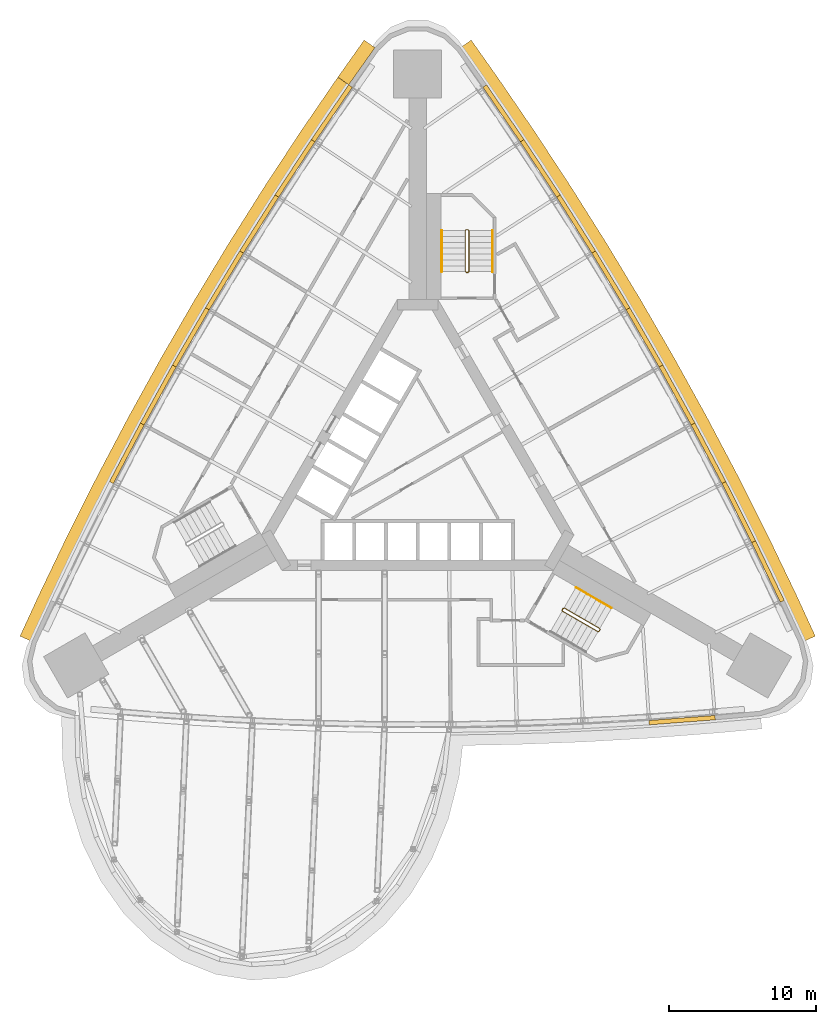
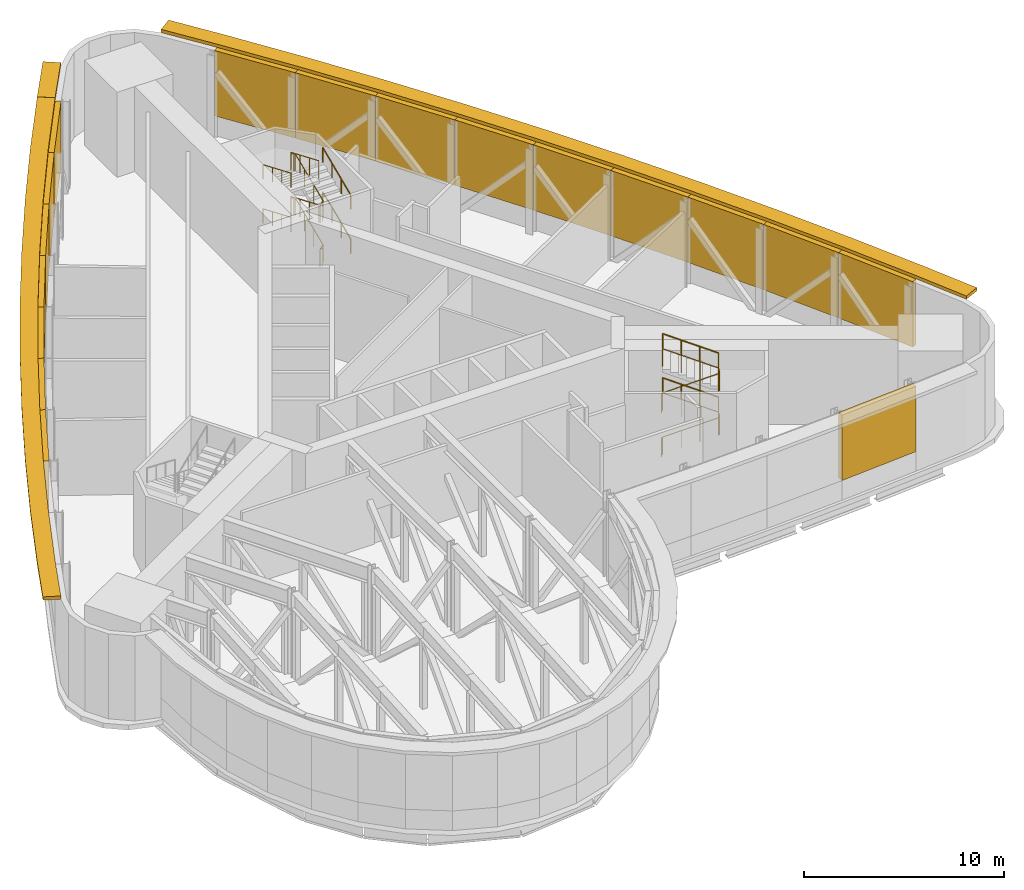
# One storey, part 10 of 10: 20 shading devices, 8 railings.
"""IFC4 building model written with IfcOpenShell, lengths in metres."""

from ifc_helpers import new_model, si_unit, direction, frame, origin, origin_2d, place, context, subcontext, project, spatial, polyline, circle, outline, extrude, material, type_object, element, save


model = new_model("IFC4")

# Units and contexts
model_context = context("Model", 3, precision=1e-05, world=origin(), true_north=direction((0.0, 1.0)))
body_context = subcontext(model_context, "Body", "Model", "MODEL_VIEW")
ifc_project = project(units=[si_unit("LENGTHUNIT", "METRE"), si_unit("AREAUNIT", "SQUARE_METRE"), si_unit("VOLUMEUNIT", "CUBIC_METRE"), si_unit("PLANEANGLEUNIT", "RADIAN"), si_unit("MASSUNIT", "GRAM", prefix="KILO")], contexts=[model_context])

# Site, building, storey
site_placement = place(None, origin())
site = spatial("IfcSite", under=ifc_project, at=site_placement, CompositionType="ELEMENT")
building_placement = place(site_placement, origin())
building = spatial("IfcBuilding", under=site, at=building_placement, Name="Noor Cloister Tower", CompositionType="ELEMENT")
storey_placement = place(building_placement, frame((0.0, 0.0, 52.800048828125)))
storey = spatial("IfcBuildingStorey", under=building, at=storey_placement, Name="L13", CompositionType="ELEMENT", Elevation=52.800048828125)

# Shading devices
ifc_material_1 = material(Name="Aluminium 6063-T6 anodised", Category="aluminium")
shading_device_type_1 = type_object("IfcShadingDeviceType", Name="LOUVRE plant air 40 percent free", PredefinedType="USERDEFINED", material=ifc_material_1)
shading_device_1_placement = place(storey_placement, frame((0.0, 0.0, 1.199951171875)))
element("IfcShadingDevice", 1, at=shading_device_1_placement, inside=storey, type_object=shading_device_type_1, Name="LOUVRE L13 1.1", ObjectType="LOUVRE", PredefinedType="USERDEFINED", context=body_context, shape_type="SweptSolid", body=[
    extrude(outline(polyline([(-4.683837890625, 26.05810546875), (-7.224609375, 22.343994140625), (-6.97705078125, 22.1748046875), (-4.43603515625, 25.888671875), (-4.683837890625, 26.05810546875)])), origin(), (0.0, 0.0, 1.0), 4.0),
])
shading_device_2_placement = place(storey_placement, frame((0.0, 0.0, 1.199951171875)))
element("IfcShadingDevice", 2, at=shading_device_2_placement, inside=storey, type_object=shading_device_type_1, Name="LOUVRE L13 1.2", ObjectType="LOUVRE", PredefinedType="USERDEFINED", context=body_context, shape_type="SweptSolid", body=[
    extrude(outline(polyline([(-7.224609375, 22.343994140625), (-9.69384765625, 18.582275390625), (-9.443115234375, 18.417724609375), (-6.9736328125, 22.179443359375), (-7.224609375, 22.343994140625)])), origin(), (0.0, 0.0, 1.0), 4.0),
])
shading_device_3_placement = place(storey_placement, frame((0.0, 0.0, 1.199951171875)))
element("IfcShadingDevice", 3, at=shading_device_3_placement, inside=storey, type_object=shading_device_type_1, Name="LOUVRE L13 1.3", ObjectType="LOUVRE", PredefinedType="USERDEFINED", context=body_context, shape_type="SweptSolid", body=[
    extrude(outline(polyline([(-9.69384765625, 18.582275390625), (-12.091064453125, 14.77392578125), (-11.837158203125, 14.6142578125), (-9.43994140625, 18.42236328125), (-9.69384765625, 18.582275390625)])), origin(), (0.0, 0.0, 1.0), 4.0),
])
shading_device_4_placement = place(storey_placement, frame((0.0, 0.0, 1.199951171875)))
element("IfcShadingDevice", 4, at=shading_device_4_placement, inside=storey, type_object=shading_device_type_1, Name="LOUVRE L13 1.4", ObjectType="LOUVRE", PredefinedType="USERDEFINED", context=body_context, shape_type="SweptSolid", body=[
    extrude(outline(polyline([(-12.091064453125, 14.77392578125), (-14.4150390625, 10.920654296875), (-14.158203125, 10.765625), (-11.834228515625, 14.618896484375), (-12.091064453125, 14.77392578125)])), origin(), (0.0, 0.0, 1.0), 4.0),
])
shading_device_5_placement = place(storey_placement, frame((0.0, 0.0, 1.199951171875)))
element("IfcShadingDevice", 5, at=shading_device_5_placement, inside=storey, type_object=shading_device_type_1, Name="LOUVRE L13 1.5", ObjectType="LOUVRE", PredefinedType="USERDEFINED", context=body_context, shape_type="SweptSolid", body=[
    extrude(outline(polyline([(-14.4150390625, 10.920654296875), (-16.6650390625, 7.0234375), (-16.4052734375, 6.87353515625), (-14.1552734375, 10.7705078125), (-14.4150390625, 10.920654296875)])), origin(), (0.0, 0.0, 1.0), 4.0),
])
shading_device_6_placement = place(storey_placement, frame((0.0, 0.0, 1.199951171875)))
element("IfcShadingDevice", 6, at=shading_device_6_placement, inside=storey, type_object=shading_device_type_1, Name="LOUVRE L13 1.6", ObjectType="LOUVRE", PredefinedType="USERDEFINED", context=body_context, shape_type="SweptSolid", body=[
    extrude(outline(polyline([(-16.6650390625, 7.0234375), (-18.840087890625, 3.084228515625), (-18.57763671875, 2.939208984375), (-16.40234375, 6.87841796875), (-16.6650390625, 7.0234375)])), origin(), (0.0, 0.0, 1.0), 4.0),
])
shading_device_7_placement = place(storey_placement, frame((0.0, 0.0, 1.199951171875)))
element("IfcShadingDevice", 7, at=shading_device_7_placement, inside=storey, type_object=shading_device_type_1, Name="LOUVRE L13 1.7", ObjectType="LOUVRE", PredefinedType="USERDEFINED", context=body_context, shape_type="SweptSolid", body=[
    extrude(outline(polyline([(-18.840087890625, 3.084228515625), (-20.939697265625, -0.89599609375), (-20.67431640625, -1.035888671875), (-18.57470703125, 2.9443359375), (-18.840087890625, 3.084228515625)])), origin(), (0.0, 0.0, 1.0), 4.0),
])
shading_device_8_placement = place(storey_placement, frame((0.0, 0.0, 1.199951171875)))
element("IfcShadingDevice", 8, at=shading_device_8_placement, inside=storey, type_object=shading_device_type_1, Name="LOUVRE L13 3.4", ObjectType="LOUVRE", PredefinedType="USERDEFINED", context=body_context, shape_type="SweptSolid", body=[
    extrude(outline(polyline([(15.73828125, -17.4287109375), (20.22509765625, -17.085205078125), (20.2021484375, -16.7861328125), (15.71533203125, -17.129638671875), (15.73828125, -17.4287109375)])), origin(), (0.0, 0.0, 1.0), 4.0),
])
shading_device_9_placement = place(storey_placement, frame((0.0, 0.0, 1.199951171875)))
element("IfcShadingDevice", 9, at=shading_device_9_placement, inside=storey, type_object=shading_device_type_1, Name="LOUVRE L13 4.1", ObjectType="LOUVRE", PredefinedType="USERDEFINED", context=body_context, shape_type="SweptSolid", body=[
    extrude(outline(polyline([(24.908935546875, -8.972900390625), (22.962890625, -4.91552734375), (22.6923828125, -5.045166015625), (24.638427734375, -9.1025390625), (24.908935546875, -8.972900390625)])), origin(), (0.0, 0.0, 1.0), 4.0),
])
shading_device_10_placement = place(storey_placement, frame((0.0, 0.0, 1.199951171875)))
element("IfcShadingDevice", 10, at=shading_device_10_placement, inside=storey, type_object=shading_device_type_1, Name="LOUVRE L13 4.2", ObjectType="LOUVRE", PredefinedType="USERDEFINED", context=body_context, shape_type="SweptSolid", body=[
    extrude(outline(polyline([(22.962890625, -4.91552734375), (20.939697265625, -0.89599609375), (20.671630859375, -1.03076171875), (22.69482421875, -5.05029296875), (22.962890625, -4.91552734375)])), origin(), (0.0, 0.0, 1.0), 4.0),
])
shading_device_11_placement = place(storey_placement, frame((0.0, 0.0, 1.199951171875)))
element("IfcShadingDevice", 11, at=shading_device_11_placement, inside=storey, type_object=shading_device_type_1, Name="LOUVRE L13 4.3", ObjectType="LOUVRE", PredefinedType="USERDEFINED", context=body_context, shape_type="SweptSolid", body=[
    extrude(outline(polyline([(20.939697265625, -0.89599609375), (18.840087890625, 3.084228515625), (18.57470703125, 2.9443359375), (20.67431640625, -1.035888671875), (20.939697265625, -0.89599609375)])), origin(), (0.0, 0.0, 1.0), 4.0),
])
shading_device_12_placement = place(storey_placement, frame((0.0, 0.0, 1.199951171875)))
element("IfcShadingDevice", 12, at=shading_device_12_placement, inside=storey, type_object=shading_device_type_1, Name="LOUVRE L13 4.4", ObjectType="LOUVRE", PredefinedType="USERDEFINED", context=body_context, shape_type="SweptSolid", body=[
    extrude(outline(polyline([(18.840087890625, 3.084228515625), (16.6650390625, 7.0234375), (16.40234375, 6.87841796875), (18.57763671875, 2.939208984375), (18.840087890625, 3.084228515625)])), origin(), (0.0, 0.0, 1.0), 4.0),
])
shading_device_13_placement = place(storey_placement, frame((0.0, 0.0, 1.199951171875)))
element("IfcShadingDevice", 13, at=shading_device_13_placement, inside=storey, type_object=shading_device_type_1, Name="LOUVRE L13 4.5", ObjectType="LOUVRE", PredefinedType="USERDEFINED", context=body_context, shape_type="SweptSolid", body=[
    extrude(outline(polyline([(16.6650390625, 7.0234375), (14.4150390625, 10.920654296875), (14.1552734375, 10.7705078125), (16.4052734375, 6.87353515625), (16.6650390625, 7.0234375)])), origin(), (0.0, 0.0, 1.0), 4.0),
])
shading_device_14_placement = place(storey_placement, frame((0.0, 0.0, 1.199951171875)))
element("IfcShadingDevice", 14, at=shading_device_14_placement, inside=storey, type_object=shading_device_type_1, Name="LOUVRE L13 4.6", ObjectType="LOUVRE", PredefinedType="USERDEFINED", context=body_context, shape_type="SweptSolid", body=[
    extrude(outline(polyline([(14.4150390625, 10.920654296875), (12.091064453125, 14.77392578125), (11.834228515625, 14.618896484375), (14.158203125, 10.765625), (14.4150390625, 10.920654296875)])), origin(), (0.0, 0.0, 1.0), 4.0),
])
shading_device_15_placement = place(storey_placement, frame((0.0, 0.0, 1.199951171875)))
element("IfcShadingDevice", 15, at=shading_device_15_placement, inside=storey, type_object=shading_device_type_1, Name="LOUVRE L13 4.7", ObjectType="LOUVRE", PredefinedType="USERDEFINED", context=body_context, shape_type="SweptSolid", body=[
    extrude(outline(polyline([(12.091064453125, 14.77392578125), (9.69384765625, 18.582275390625), (9.43994140625, 18.42236328125), (11.837158203125, 14.6142578125), (12.091064453125, 14.77392578125)])), origin(), (0.0, 0.0, 1.0), 4.0),
])
shading_device_16_placement = place(storey_placement, frame((0.0, 0.0, 1.199951171875)))
element("IfcShadingDevice", 16, at=shading_device_16_placement, inside=storey, type_object=shading_device_type_1, Name="LOUVRE L13 4.8", ObjectType="LOUVRE", PredefinedType="USERDEFINED", context=body_context, shape_type="SweptSolid", body=[
    extrude(outline(polyline([(9.69384765625, 18.582275390625), (7.224609375, 22.343994140625), (6.9736328125, 22.179443359375), (9.443115234375, 18.417724609375), (9.69384765625, 18.582275390625)])), origin(), (0.0, 0.0, 1.0), 4.0),
])
shading_device_17_placement = place(storey_placement, frame((0.0, 0.0, 1.199951171875)))
element("IfcShadingDevice", 17, at=shading_device_17_placement, inside=storey, type_object=shading_device_type_1, Name="LOUVRE L13 4.9", ObjectType="LOUVRE", PredefinedType="USERDEFINED", context=body_context, shape_type="SweptSolid", body=[
    extrude(outline(polyline([(7.224609375, 22.343994140625), (4.683837890625, 26.05810546875), (4.43603515625, 25.888671875), (6.97705078125, 22.1748046875), (7.224609375, 22.343994140625)])), origin(), (0.0, 0.0, 1.0), 4.0),
])
ifc_material_2 = material(Name="Limestone", Category="masonry")
shading_device_type_2 = type_object("IfcShadingDeviceType", Name="SUNSHADE limestone band 900", PredefinedType="USERDEFINED", material=ifc_material_2)
shading_device_18_placement = place(storey_placement, frame((0.0, 0.0, 5.199951171875)))
element("IfcShadingDevice", 18, at=shading_device_18_placement, inside=storey, type_object=shading_device_type_2, Name="SUNSHADE L13 1", ObjectType="SUNSHADE", PredefinedType="USERDEFINED", context=body_context, shape_type="SweptSolid", body=[
    extrude(outline(polyline([(-5.426513671875, 26.566162109375), (-7.97216796875, 22.84521484375), (-10.450927734375, 19.06884765625), (-12.857421875, 15.24609375), (-15.190185546875, 11.3779296875), (-17.44873046875, 7.466064453125), (-19.632080078125, 3.51171875), (-21.73974609375, -0.483642578125), (-23.7705078125, -4.5185546875), (-25.723388671875, -8.590087890625), (-27.015869140625, -11.399658203125), (-26.1982421875, -11.77587890625), (-24.908935546875, -8.972900390625), (-22.962890625, -4.91552734375), (-20.939697265625, -0.89599609375), (-18.840087890625, 3.084228515625), (-16.6650390625, 7.0234375), (-14.4150390625, 10.920654296875), (-12.091064453125, 14.77392578125), (-9.69384765625, 18.582275390625), (-7.224609375, 22.343994140625), (-4.683837890625, 26.05810546875), (-5.426513671875, 26.566162109375)])), origin(), (0.0, 0.0, 1.0), 0.199951171875),
])
shading_device_19_placement = place(storey_placement, frame((0.0, 0.0, 5.199951171875)))
element("IfcShadingDevice", 19, at=shading_device_19_placement, inside=storey, type_object=shading_device_type_2, Name="SUNSHADE L13 3", ObjectType="SUNSHADE", PredefinedType="USERDEFINED", context=body_context, shape_type="SweptSolid", body=[
    extrude(outline(polyline([(27.015869140625, -11.399658203125), (25.723388671875, -8.590087890625), (23.7705078125, -4.5185546875), (21.73974609375, -0.483642578125), (19.632080078125, 3.51171875), (17.44873046875, 7.466064453125), (15.190185546875, 11.3779296875), (12.857421875, 15.24609375), (10.450927734375, 19.06884765625), (7.97216796875, 22.84521484375), (5.42236328125, 26.572265625), (3.635498046875, 29.09619140625), (2.90087890625, 28.576171875), (4.683837890625, 26.05810546875), (7.224609375, 22.343994140625), (9.69384765625, 18.582275390625), (12.091064453125, 14.77392578125), (14.4150390625, 10.920654296875), (16.6650390625, 7.0234375), (18.840087890625, 3.084228515625), (20.939697265625, -0.89599609375), (22.962890625, -4.91552734375), (24.908935546875, -8.972900390625), (26.1982421875, -11.77587890625), (27.015869140625, -11.399658203125)])), origin(), (0.0, 0.0, 1.0), 0.199951171875),
])
shading_device_20_placement = place(storey_placement, frame((0.0, 0.0, 5.199951171875)))
element("IfcShadingDevice", 20, at=shading_device_20_placement, inside=storey, type_object=shading_device_type_2, Name="SUNSHADE L13 4", ObjectType="SUNSHADE", PredefinedType="USERDEFINED", context=body_context, shape_type="SweptSolid", body=[
    extrude(outline(polyline([(-3.635498046875, 29.09619140625), (-5.418212890625, 26.578125), (-4.683837890625, 26.05810546875), (-2.90087890625, 28.576171875), (-3.635498046875, 29.09619140625)])), origin(), (0.0, 0.0, 1.0), 0.199951171875),
])

# Railings
ifc_material_3 = material(Name="Stainless steel", Category="steel")
railing_type_1 = type_object("IfcRailingType", Name="Stair guard 1100", PredefinedType="GUARDRAIL", material=ifc_material_3)
railing_1_placement = place(storey_placement, frame((3.435546875, 13.306396484375, 0.0)))
element("IfcRailing", 21, at=railing_1_placement, inside=storey, type_object=railing_type_1, Name="Stair guard ST1 L13", PredefinedType="GUARDRAIL", context=body_context, shape_type="SweptSolid", body=[
    extrude(circle(Radius=0.02392578125, at=origin_2d()), frame((0.0, 0.0, 1.076171875), z_axis=(-1.0, 0.0, 0.0), x_axis=(0.0, -1.0, 0.0)), (0.0, 0.0, 1.0), 0.14990234375),
    extrude(circle(Radius=0.02392578125, at=origin_2d()), frame((-0.14990234375, 0.0, 1.076171875), z_axis=(0.750691857518, 0.187902113298, 0.633367611166), x_axis=(-0.242814311512, 0.970072785993, 0.0)), (0.0, 0.0, 1.0), 0.266357421875),
    extrude(circle(Radius=0.02392578125, at=origin_2d()), frame((0.050048828125, 0.050048828125, 1.24462890625), z_axis=(0.0, 0.921378096441, 0.388667471495), x_axis=(-1.0, 0.0, 0.0)), (0.0, 0.0, 1.0), 3.0390625),
    extrude(circle(Radius=0.02392578125, at=origin_2d()), frame((0.050048828125, 2.85009765625, 2.42578125), z_axis=(-0.708833529934, 0.705375805398, 0.0), x_axis=(-0.705375805398, -0.708833529934, 0.0)), (0.0, 0.0, 1.0), 0.070556640625),
    extrude(circle(Radius=0.02392578125, at=origin_2d()), frame((0.0, 2.89990234375, 2.42578125), z_axis=(-1.0, 0.0, 0.0), x_axis=(0.0, -1.0, 0.0)), (0.0, 0.0, 1.0), 0.14990234375),
    extrude(circle(Radius=0.02392578125, at=origin_2d()), frame((-0.14990234375, 2.89990234375, 2.42578125), z_axis=(-0.273332118527, -0.271998791119, 0.922662565953), x_axis=(0.705375805398, -0.708833529934, 0.0)), (0.0, 0.0, 1.0), 0.18310546875),
    extrude(circle(Radius=0.02392578125, at=origin_2d()), frame((-0.199951171875, 2.85009765625, 2.5947265625), z_axis=(0.0, -0.921378096441, 0.388667471495), x_axis=(1.0, 0.0, 0.0)), (0.0, 0.0, 1.0), 3.0390625),
    extrude(circle(Radius=0.02392578125, at=origin_2d()), frame((-0.199951171875, 0.050048828125, 3.77587890625), z_axis=(0.970072785993, -0.242814311512, 0.0), x_axis=(0.242814311512, 0.970072785993, 0.0)), (0.0, 0.0, 1.0), 0.2060546875),
    extrude(circle(Radius=0.02392578125, at=origin_2d()), frame((0.0, 0.0, 3.77587890625), z_axis=(-1.0, 0.0, 0.0), x_axis=(0.0, -1.0, 0.0)), (0.0, 0.0, 1.0), 0.14990234375),
    extrude(circle(Radius=0.02392578125, at=origin_2d()), frame((-0.14990234375, 0.0, 3.77587890625), z_axis=(0.750691857518, 0.187902113298, 0.633367611166), x_axis=(-0.242814311512, 0.970072785993, 0.0)), (0.0, 0.0, 1.0), 0.266357421875),
    extrude(circle(Radius=0.02392578125, at=origin_2d()), frame((0.050048828125, 0.050048828125, 3.94482421875), z_axis=(0.0, 0.921349325574, 0.388735668886), x_axis=(-1.0, 0.0, 0.0)), (0.0, 0.0, 1.0), 3.0390625),
    extrude(circle(Radius=0.02392578125, at=origin_2d()), frame((0.050048828125, 2.85009765625, 5.1259765625), z_axis=(-0.708833529934, 0.705375805398, 0.0), x_axis=(-0.705375805398, -0.708833529934, 0.0)), (0.0, 0.0, 1.0), 0.070556640625),
    extrude(circle(Radius=0.02392578125, at=origin_2d()), frame((0.0, 2.89990234375, 5.1259765625), z_axis=(-1.0, 0.0, 0.0), x_axis=(0.0, -1.0, 0.0)), (0.0, 0.0, 1.0), 0.14990234375),
    extrude(circle(Radius=0.02392578125, at=origin_2d()), frame((-0.14990234375, 2.89990234375, 5.1259765625), z_axis=(-0.273668752699, -0.272333783174, 0.922463942026), x_axis=(0.705375805398, -0.708833529934, 0.0)), (0.0, 0.0, 1.0), 0.182861328125),
    extrude(circle(Radius=0.02392578125, at=origin_2d()), frame((-0.199951171875, 2.85009765625, 5.294921875), z_axis=(0.0, -0.921378096441, 0.388667471495), x_axis=(1.0, 0.0, 0.0)), (0.0, 0.0, 1.0), 3.0390625),
    extrude(circle(Radius=0.02099609375, at=origin_2d()), origin(), (0.0, 0.0, 1.0), 1.052001953125),
    extrude(circle(Radius=0.02099609375, at=origin_2d()), frame((-0.14990234375, 0.0, 0.0)), (0.0, 0.0, 1.0), 1.052001953125),
    extrude(circle(Radius=0.02099609375, at=origin_2d()), frame((0.050048828125, 0.050048828125, 0.168701171875)), (0.0, 0.0, 1.0), 1.052001953125),
    extrude(circle(Radius=0.02099609375, at=origin_2d()), frame((0.050048828125, 0.9833984375, 0.5625)), (0.0, 0.0, 1.0), 1.052001953125),
    extrude(circle(Radius=0.02099609375, at=origin_2d()), frame((0.050048828125, 1.916748046875, 0.9560546875)), (0.0, 0.0, 1.0), 1.052001953125),
    extrude(circle(Radius=0.02099609375, at=origin_2d()), frame((0.050048828125, 2.85009765625, 1.349853515625)), (0.0, 0.0, 1.0), 1.052001953125),
    extrude(circle(Radius=0.02099609375, at=origin_2d()), frame((0.0, 2.89990234375, 1.349853515625)), (0.0, 0.0, 1.0), 1.052001953125),
    extrude(circle(Radius=0.02099609375, at=origin_2d()), frame((-0.14990234375, 2.89990234375, 1.349853515625)), (0.0, 0.0, 1.0), 1.052001953125),
    extrude(circle(Radius=0.02099609375, at=origin_2d()), frame((-0.199951171875, 2.85009765625, 1.518798828125)), (0.0, 0.0, 1.0), 1.052001953125),
    extrude(circle(Radius=0.02099609375, at=origin_2d()), frame((-0.199951171875, 1.916748046875, 1.91259765625)), (0.0, 0.0, 1.0), 1.052001953125),
    extrude(circle(Radius=0.02099609375, at=origin_2d()), frame((-0.199951171875, 0.9833984375, 2.30615234375)), (0.0, 0.0, 1.0), 1.052001953125),
    extrude(circle(Radius=0.02099609375, at=origin_2d()), frame((-0.199951171875, 0.050048828125, 2.699951171875)), (0.0, 0.0, 1.0), 1.052001953125),
    extrude(circle(Radius=0.02099609375, at=origin_2d()), frame((0.0, 0.0, 2.699951171875)), (0.0, 0.0, 1.0), 1.052001953125),
    extrude(circle(Radius=0.02099609375, at=origin_2d()), frame((-0.14990234375, 0.0, 2.699951171875)), (0.0, 0.0, 1.0), 1.052001953125),
    extrude(circle(Radius=0.02099609375, at=origin_2d()), frame((0.050048828125, 0.050048828125, 2.86865234375)), (0.0, 0.0, 1.0), 1.052001953125),
    extrude(circle(Radius=0.02099609375, at=origin_2d()), frame((0.050048828125, 0.9833984375, 3.262451171875)), (0.0, 0.0, 1.0), 1.052001953125),
    extrude(circle(Radius=0.02099609375, at=origin_2d()), frame((0.050048828125, 1.916748046875, 3.65625)), (0.0, 0.0, 1.0), 1.052001953125),
    extrude(circle(Radius=0.02099609375, at=origin_2d()), frame((0.050048828125, 2.85009765625, 4.050048828125)), (0.0, 0.0, 1.0), 1.052001953125),
    extrude(circle(Radius=0.02099609375, at=origin_2d()), frame((0.0, 2.89990234375, 4.050048828125)), (0.0, 0.0, 1.0), 1.052001953125),
    extrude(circle(Radius=0.02099609375, at=origin_2d()), frame((-0.14990234375, 2.89990234375, 4.050048828125)), (0.0, 0.0, 1.0), 1.052001953125),
    extrude(circle(Radius=0.02099609375, at=origin_2d()), frame((-0.199951171875, 2.85009765625, 4.21875)), (0.0, 0.0, 1.0), 1.052001953125),
    extrude(circle(Radius=0.02099609375, at=origin_2d()), frame((-0.199951171875, 1.916748046875, 4.612548828125)), (0.0, 0.0, 1.0), 1.052001953125),
    extrude(circle(Radius=0.02099609375, at=origin_2d()), frame((-0.199951171875, 0.9833984375, 5.006103515625)), (0.0, 0.0, 1.0), 1.052001953125),
    extrude(circle(Radius=0.02099609375, at=origin_2d()), frame((-0.199951171875, 0.050048828125, 5.39990234375)), (0.0, 0.0, 1.0), 1.052001953125),
])
railing_2_placement = place(storey_placement, frame((9.805908203125, -9.628662109375, 0.0)))
element("IfcRailing", 22, at=railing_2_placement, inside=storey, type_object=railing_type_1, Name="Stair guard ST3 L13", PredefinedType="GUARDRAIL", context=body_context, shape_type="SweptSolid", body=[
    extrude(circle(Radius=0.02392578125, at=origin_2d()), frame((0.0, 0.0, 1.076171875), z_axis=(0.499112439033, 0.866537231285, 0.0), x_axis=(-0.866537231285, 0.499112439033, 0.0)), (0.0, 0.0, 1.0), 0.150146484375),
    extrude(circle(Radius=0.02392578125, at=origin_2d()), frame((0.074951171875, 0.130126953125, 1.076171875), z_axis=(-0.212616081131, -0.744156283958, 0.633266000264), x_axis=(0.961523947641, -0.274721127897, 0.0)), (0.0, 0.0, 1.0), 0.266357421875),
    extrude(circle(Radius=0.02392578125, at=origin_2d()), frame((0.018310546875, -0.068115234375, 1.24462890625), z_axis=(0.797909072615, -0.460733843279, 0.388671374679), x_axis=(0.500049511043, 0.865996816683, 0.0)), (0.0, 0.0, 1.0), 3.0390625),
    extrude(circle(Radius=0.02392578125, at=origin_2d()), frame((2.443115234375, -1.46826171875, 2.42578125), z_axis=(0.965948051503, 0.258736085224, 0.0), x_axis=(-0.258736085224, 0.965948051503, 0.0)), (0.0, 0.0, 1.0), 0.07080078125),
    extrude(circle(Radius=0.02392578125, at=origin_2d()), frame((2.511474609375, -1.449951171875, 2.42578125), z_axis=(0.499816412211, 0.866131372301, 0.0), x_axis=(-0.866131372301, 0.499816412211, 0.0)), (0.0, 0.0, 1.0), 0.14990234375),
    extrude(circle(Radius=0.02392578125, at=origin_2d()), frame((2.58642578125, -1.320068359375, 2.42578125), z_axis=(-0.099965440146, 0.373204309879, 0.922347794416), x_axis=(-0.965948051503, -0.258736085224, 0.0)), (0.0, 0.0, 1.0), 0.18310546875),
    extrude(circle(Radius=0.02392578125, at=origin_2d()), frame((2.568115234375, -1.251708984375, 2.5947265625), z_axis=(-0.79793860554, 0.460670556199, 0.388685760532), x_axis=(-0.49998411664, -0.866034573852, 0.0)), (0.0, 0.0, 1.0), 3.038818359375),
    extrude(circle(Radius=0.02392578125, at=origin_2d()), frame((0.143310546875, 0.148193359375, 3.77587890625), z_axis=(-0.695164929852, -0.718850276695, 0.0), x_axis=(0.718850276695, -0.695164929852, 0.0)), (0.0, 0.0, 1.0), 0.2060546875),
    extrude(circle(Radius=0.02392578125, at=origin_2d()), frame((0.0, 0.0, 3.77587890625), z_axis=(0.499112439033, 0.866537231285, 0.0), x_axis=(-0.866537231285, 0.499112439033, 0.0)), (0.0, 0.0, 1.0), 0.150146484375),
    extrude(circle(Radius=0.02392578125, at=origin_2d()), frame((0.074951171875, 0.130126953125, 3.77587890625), z_axis=(-0.212616081131, -0.744156283958, 0.633266000264), x_axis=(0.961523947641, -0.274721127897, 0.0)), (0.0, 0.0, 1.0), 0.266357421875),
    extrude(circle(Radius=0.02392578125, at=origin_2d()), frame((0.018310546875, -0.068115234375, 3.94482421875), z_axis=(0.79788415668, -0.460719456158, 0.388739572511), x_axis=(0.500049511043, 0.865996816683, 0.0)), (0.0, 0.0, 1.0), 3.0390625),
    extrude(circle(Radius=0.02392578125, at=origin_2d()), frame((2.443115234375, -1.46826171875, 5.1259765625), z_axis=(0.965948051503, 0.258736085224, 0.0), x_axis=(-0.258736085224, 0.965948051503, 0.0)), (0.0, 0.0, 1.0), 0.07080078125),
    extrude(circle(Radius=0.02392578125, at=origin_2d()), frame((2.511474609375, -1.449951171875, 5.1259765625), z_axis=(0.499816412211, 0.866131372301, 0.0), x_axis=(-0.866131372301, 0.499816412211, 0.0)), (0.0, 0.0, 1.0), 0.14990234375),
    extrude(circle(Radius=0.02392578125, at=origin_2d()), frame((2.58642578125, -1.320068359375, 5.1259765625), z_axis=(-0.100088472829, 0.373663631894, 0.922148462996), x_axis=(-0.965948051503, -0.258736085224, 0.0)), (0.0, 0.0, 1.0), 0.182861328125),
    extrude(circle(Radius=0.02392578125, at=origin_2d()), frame((2.568115234375, -1.251708984375, 5.294921875), z_axis=(-0.79793860554, 0.460670556199, 0.388685760532), x_axis=(-0.49998411664, -0.866034573852, 0.0)), (0.0, 0.0, 1.0), 3.038818359375),
    extrude(circle(Radius=0.02099609375, at=origin_2d()), origin(), (0.0, 0.0, 1.0), 1.052001953125),
    extrude(circle(Radius=0.02099609375, at=origin_2d()), frame((0.074951171875, 0.130126953125, 0.0)), (0.0, 0.0, 1.0), 1.052001953125),
    extrude(circle(Radius=0.02099609375, at=origin_2d()), frame((0.018310546875, -0.068115234375, 0.168701171875)), (0.0, 0.0, 1.0), 1.052001953125),
    extrude(circle(Radius=0.02099609375, at=origin_2d()), frame((0.82666015625, -0.534912109375, 0.5625)), (0.0, 0.0, 1.0), 1.052001953125),
    extrude(circle(Radius=0.02099609375, at=origin_2d()), frame((1.634765625, -1.00146484375, 0.9560546875)), (0.0, 0.0, 1.0), 1.052001953125),
    extrude(circle(Radius=0.02099609375, at=origin_2d()), frame((2.443115234375, -1.46826171875, 1.349853515625)), (0.0, 0.0, 1.0), 1.052001953125),
    extrude(circle(Radius=0.02099609375, at=origin_2d()), frame((2.511474609375, -1.449951171875, 1.349853515625)), (0.0, 0.0, 1.0), 1.052001953125),
    extrude(circle(Radius=0.02099609375, at=origin_2d()), frame((2.58642578125, -1.320068359375, 1.349853515625)), (0.0, 0.0, 1.0), 1.052001953125),
    extrude(circle(Radius=0.02099609375, at=origin_2d()), frame((2.568115234375, -1.251708984375, 1.518798828125)), (0.0, 0.0, 1.0), 1.052001953125),
    extrude(circle(Radius=0.02099609375, at=origin_2d()), frame((1.759765625, -0.78515625, 1.91259765625)), (0.0, 0.0, 1.0), 1.052001953125),
    extrude(circle(Radius=0.02099609375, at=origin_2d()), frame((0.95166015625, -0.318359375, 2.30615234375)), (0.0, 0.0, 1.0), 1.052001953125),
    extrude(circle(Radius=0.02099609375, at=origin_2d()), frame((0.143310546875, 0.148193359375, 2.699951171875)), (0.0, 0.0, 1.0), 1.052001953125),
    extrude(circle(Radius=0.02099609375, at=origin_2d()), frame((0.0, 0.0, 2.699951171875)), (0.0, 0.0, 1.0), 1.052001953125),
    extrude(circle(Radius=0.02099609375, at=origin_2d()), frame((0.074951171875, 0.130126953125, 2.699951171875)), (0.0, 0.0, 1.0), 1.052001953125),
    extrude(circle(Radius=0.02099609375, at=origin_2d()), frame((0.018310546875, -0.068115234375, 2.86865234375)), (0.0, 0.0, 1.0), 1.052001953125),
    extrude(circle(Radius=0.02099609375, at=origin_2d()), frame((0.82666015625, -0.534912109375, 3.262451171875)), (0.0, 0.0, 1.0), 1.052001953125),
    extrude(circle(Radius=0.02099609375, at=origin_2d()), frame((1.634765625, -1.00146484375, 3.65625)), (0.0, 0.0, 1.0), 1.052001953125),
    extrude(circle(Radius=0.02099609375, at=origin_2d()), frame((2.443115234375, -1.46826171875, 4.050048828125)), (0.0, 0.0, 1.0), 1.052001953125),
    extrude(circle(Radius=0.02099609375, at=origin_2d()), frame((2.511474609375, -1.449951171875, 4.050048828125)), (0.0, 0.0, 1.0), 1.052001953125),
    extrude(circle(Radius=0.02099609375, at=origin_2d()), frame((2.58642578125, -1.320068359375, 4.050048828125)), (0.0, 0.0, 1.0), 1.052001953125),
    extrude(circle(Radius=0.02099609375, at=origin_2d()), frame((2.568115234375, -1.251708984375, 4.21875)), (0.0, 0.0, 1.0), 1.052001953125),
    extrude(circle(Radius=0.02099609375, at=origin_2d()), frame((1.759765625, -0.78515625, 4.612548828125)), (0.0, 0.0, 1.0), 1.052001953125),
    extrude(circle(Radius=0.02099609375, at=origin_2d()), frame((0.95166015625, -0.318359375, 5.006103515625)), (0.0, 0.0, 1.0), 1.052001953125),
    extrude(circle(Radius=0.02099609375, at=origin_2d()), frame((0.143310546875, 0.148193359375, 5.39990234375)), (0.0, 0.0, 1.0), 1.052001953125),
])
ifc_material_4 = material(Name="Stainless steel", Category="steel")
railing_type_2 = type_object("IfcRailingType", Name="Stair handrail 900", PredefinedType="HANDRAIL", material=ifc_material_4)
railing_3_placement = place(storey_placement, frame((5.085693359375, 13.3564453125, 0.168701171875)))
element("IfcRailing", 23, at=railing_3_placement, inside=storey, type_object=railing_type_2, Name="Stair handrail ST1 L13 1", PredefinedType="HANDRAIL", context=body_context, shape_type="SweptSolid", body=[
    extrude(circle(Radius=0.02392578125, at=origin_2d()), frame((0.0, 0.0, 0.8759765625), z_axis=(0.0, 0.921378096441, 0.388667471495), x_axis=(-1.0, 0.0, 0.0)), (0.0, 0.0, 1.0), 3.0390625),
    extrude(circle(Radius=0.02099609375, at=origin_2d()), origin(), (0.0, 0.0, 1.0), 0.851806640625),
    extrude(circle(Radius=0.02099609375, at=origin_2d()), frame((0.0, 0.933349609375, 0.393798828125)), (0.0, 0.0, 1.0), 0.851806640625),
    extrude(circle(Radius=0.02099609375, at=origin_2d()), frame((0.0, 1.86669921875, 0.787353515625)), (0.0, 0.0, 1.0), 0.851806640625),
    extrude(circle(Radius=0.02099609375, at=origin_2d()), frame((0.0, 2.800048828125, 1.18115234375)), (0.0, 0.0, 1.0), 0.851806640625),
])
railing_4_placement = place(storey_placement, frame((1.6357421875, 16.156494140625, 1.518798828125)))
element("IfcRailing", 24, at=railing_4_placement, inside=storey, type_object=railing_type_2, Name="Stair handrail ST1 L13 2", PredefinedType="HANDRAIL", context=body_context, shape_type="SweptSolid", body=[
    extrude(circle(Radius=0.02392578125, at=origin_2d()), frame((0.0, 0.0, 0.8759765625), z_axis=(0.0, -0.921378096441, 0.388667471495), x_axis=(1.0, 0.0, 0.0)), (0.0, 0.0, 1.0), 3.0390625),
    extrude(circle(Radius=0.02099609375, at=origin_2d()), origin(), (0.0, 0.0, 1.0), 0.851806640625),
    extrude(circle(Radius=0.02099609375, at=origin_2d()), frame((0.0, -0.933349609375, 0.393798828125)), (0.0, 0.0, 1.0), 0.851806640625),
    extrude(circle(Radius=0.02099609375, at=origin_2d()), frame((0.0, -1.86669921875, 0.787353515625)), (0.0, 0.0, 1.0), 0.851806640625),
    extrude(circle(Radius=0.02099609375, at=origin_2d()), frame((0.0, -2.800048828125, 1.18115234375)), (0.0, 0.0, 1.0), 0.851806640625),
])
railing_5_placement = place(storey_placement, frame((5.085693359375, 13.3564453125, 2.86865234375)))
element("IfcRailing", 25, at=railing_5_placement, inside=storey, type_object=railing_type_2, Name="Stair handrail ST1 L13 3", PredefinedType="HANDRAIL", context=body_context, shape_type="SweptSolid", body=[
    extrude(circle(Radius=0.02392578125, at=origin_2d()), frame((0.0, 0.0, 0.8759765625), z_axis=(0.0, 0.921349325574, 0.388735668886), x_axis=(-1.0, 0.0, 0.0)), (0.0, 0.0, 1.0), 3.0390625),
    extrude(circle(Radius=0.02099609375, at=origin_2d()), origin(), (0.0, 0.0, 1.0), 0.851806640625),
    extrude(circle(Radius=0.02099609375, at=origin_2d()), frame((0.0, 0.933349609375, 0.393798828125)), (0.0, 0.0, 1.0), 0.851806640625),
    extrude(circle(Radius=0.02099609375, at=origin_2d()), frame((0.0, 1.86669921875, 0.78759765625)), (0.0, 0.0, 1.0), 0.851806640625),
    extrude(circle(Radius=0.02099609375, at=origin_2d()), frame((0.0, 2.800048828125, 1.181396484375)), (0.0, 0.0, 1.0), 0.851806640625),
])
railing_6_placement = place(storey_placement, frame((1.6357421875, 16.156494140625, 4.21875)))
element("IfcRailing", 26, at=railing_6_placement, inside=storey, type_object=railing_type_2, Name="Stair handrail ST1 L13 4", PredefinedType="HANDRAIL", context=body_context, shape_type="SweptSolid", body=[
    extrude(circle(Radius=0.02392578125, at=origin_2d()), frame((0.0, 0.0, 0.8759765625), z_axis=(0.0, -0.921378096441, 0.388667471495), x_axis=(1.0, 0.0, 0.0)), (0.0, 0.0, 1.0), 3.0390625),
    extrude(circle(Radius=0.02099609375, at=origin_2d()), origin(), (0.0, 0.0, 1.0), 0.851806640625),
    extrude(circle(Radius=0.02099609375, at=origin_2d()), frame((0.0, -0.933349609375, 0.393798828125)), (0.0, 0.0, 1.0), 0.851806640625),
    extrude(circle(Radius=0.02099609375, at=origin_2d()), frame((0.0, -1.86669921875, 0.787353515625)), (0.0, 0.0, 1.0), 0.851806640625),
    extrude(circle(Radius=0.02099609375, at=origin_2d()), frame((0.0, -2.800048828125, 1.18115234375)), (0.0, 0.0, 1.0), 0.851806640625),
])
for number, where, name in (
    (27, (13.174072265625, -9.49462890625, 1.518798828125), "Stair handrail ST3 L13 2"),
    (28, (13.174072265625, -9.49462890625, 4.21875), "Stair handrail ST3 L13 4"),
):
    element("IfcRailing", number, at=place(storey_placement, frame(where)), inside=storey, type_object=railing_type_2, Name=name, PredefinedType="HANDRAIL", context=body_context, shape_type="SweptSolid", body=[
        extrude(circle(Radius=0.02392578125, at=origin_2d()), frame((0.0, 0.0, 0.8759765625), z_axis=(-0.79793860554, 0.460670556199, 0.388685760532), x_axis=(-0.49998411664, -0.866034573852, 0.0)), (0.0, 0.0, 1.0), 3.038818359375),
        extrude(circle(Radius=0.02099609375, at=origin_2d()), origin(), (0.0, 0.0, 1.0), 0.851806640625),
        extrude(circle(Radius=0.02099609375, at=origin_2d()), frame((-0.808349609375, 0.466552734375, 0.393798828125)), (0.0, 0.0, 1.0), 0.851806640625),
        extrude(circle(Radius=0.02099609375, at=origin_2d()), frame((-1.616455078125, 0.933349609375, 0.787353515625)), (0.0, 0.0, 1.0), 0.851806640625),
        extrude(circle(Radius=0.02099609375, at=origin_2d()), frame((-2.4248046875, 1.39990234375, 1.18115234375)), (0.0, 0.0, 1.0), 0.851806640625),
    ])

save(model, "model.ifc")
